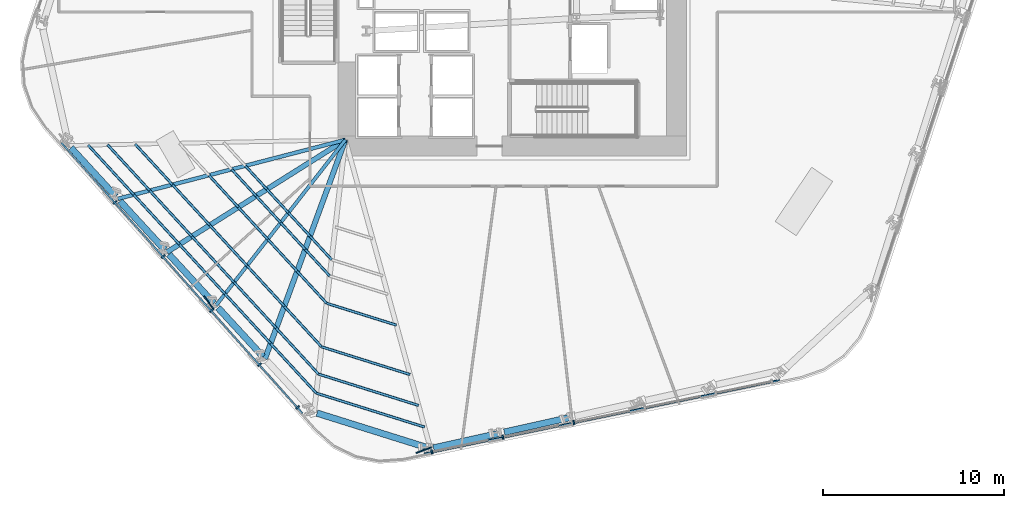
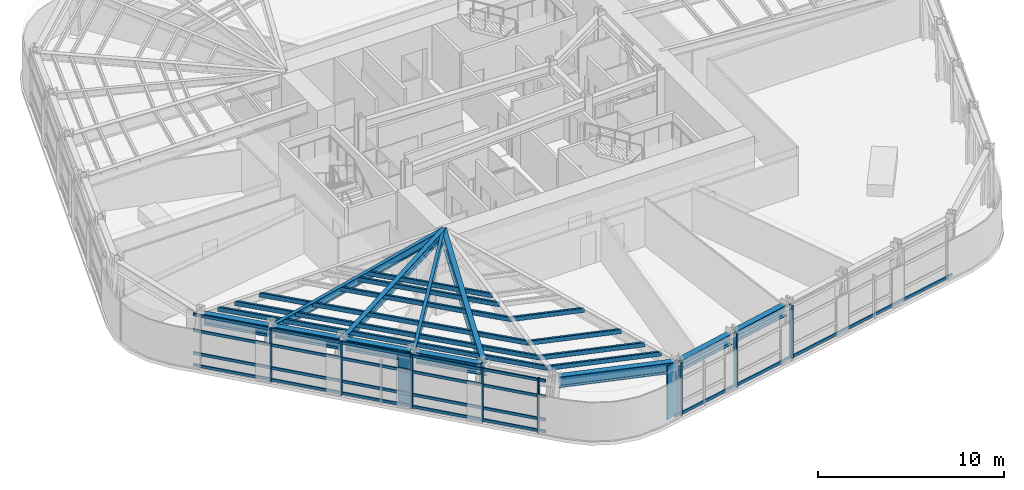
# One storey, part 2 of 17: 46 members, 11 beams, 2 elements without a shape of their own.
"""IFC4 building model written with IfcOpenShell, lengths in metres."""

from ifc_helpers import new_model, si_unit, direction, frame, origin, origin_2d, place, context, subcontext, project, spatial, rectangle, hollow_rectangle, i_section, extrude, material, layer, layer_set, material_profile, profile_set, type_object, element, aggregate, save


model = new_model("IFC4")

# Units and contexts
model_context = context("Model", 3, precision=1e-05, world=origin(), true_north=direction((0.0, 1.0)))
body_context = subcontext(model_context, "Body", "Model", "MODEL_VIEW")
ifc_project = project(units=[si_unit("LENGTHUNIT", "METRE"), si_unit("AREAUNIT", "SQUARE_METRE"), si_unit("VOLUMEUNIT", "CUBIC_METRE"), si_unit("PLANEANGLEUNIT", "RADIAN"), si_unit("MASSUNIT", "GRAM", prefix="KILO")], contexts=[model_context])

# Site, building, storey
site_placement = place(None, origin())
site = spatial("IfcSite", under=ifc_project, at=site_placement, CompositionType="ELEMENT")
building_placement = place(site_placement, origin())
building = spatial("IfcBuilding", under=site, at=building_placement, Name="Valkerne Bourse Tower", CompositionType="ELEMENT")
storey_placement = place(building_placement, frame((0.0, 0.0, 73.39990234375)))
storey = spatial("IfcBuildingStorey", under=building, at=storey_placement, Name="L18", CompositionType="ELEMENT", Elevation=73.39990234375)

# Beams
ifc_material_1 = material(Name="Steel ASTM A992", Category="steel")
ifc_material_profile_1 = material_profile(ifc_material_1, i_section(OverallWidth=0.1904296875, OverallDepth=0.457275390625, WebThickness=0.009033203125, FlangeThickness=0.014404296875, FilletRadius=0.01513671875, at=origin_2d()), Name="W18X50")
ifc_profile_set_1 = profile_set([ifc_material_profile_1], Name="Steel ASTM A992")
beam_type_1 = type_object("IfcBeamType", Name="BM-W18X50", PredefinedType="JOIST", material=ifc_profile_set_1)
beam_1_placement = place(storey_placement, frame((30.46240234375, 9.262451171875, 3.29150390625), z_axis=(0.615593782083, 0.788063636682, 0.0), x_axis=(-0.788063636682, 0.615593782083, 0.0)))
element("IfcBeam", 1, at=beam_1_placement, inside=storey, type_object=beam_type_1, Name="L18 Radial Composite Floor Beam 21", PredefinedType="JOIST", context=body_context, shape_type="SweptSolid", body=[
    extrude(i_section(OverallWidth=0.1904296875, OverallDepth=0.457275390625, WebThickness=0.009033203125, FlangeThickness=0.014404296875, FilletRadius=0.01513671875, at=origin_2d()), origin(), (0.0, 0.0, 1.0), 11.5947265625),
])
ifc_material_profile_2 = material_profile(ifc_material_1, i_section(OverallWidth=0.279296875, OverallDepth=0.46240234375, WebThickness=0.0107421875, FlangeThickness=0.017333984375, FilletRadius=0.017822265625, at=origin_2d()), Name="W18X76")
ifc_profile_set_2 = profile_set([ifc_material_profile_2], Name="Steel ASTM A992")
beam_type_2 = type_object("IfcBeamType", Name="BM-W18X76", PredefinedType="BEAM", material=ifc_profile_set_2)
beam_2_placement = place(storey_placement, frame((27.757568359375, 12.203857421875, 3.2890625), z_axis=(0.846275604102, 0.532745344326, 0.0), x_axis=(-0.532745344326, 0.846275604102, 0.0)))
element("IfcBeam", 2, at=beam_2_placement, inside=storey, type_object=beam_type_2, Name="L18 Radial Composite Floor Beam 20", PredefinedType="BEAM", context=body_context, shape_type="SweptSolid", body=[
    extrude(i_section(OverallWidth=0.279296875, OverallDepth=0.46240234375, WebThickness=0.0107421875, FlangeThickness=0.017333984375, FilletRadius=0.017822265625, at=origin_2d()), origin(), (0.0, 0.0, 1.0), 11.63037109375),
])
ifc_material_profile_3 = material_profile(ifc_material_1, i_section(OverallWidth=0.209228515625, OverallDepth=0.533447265625, WebThickness=0.01025390625, FlangeThickness=0.015625, FilletRadius=0.017822265625, at=origin_2d()), Name="W21X62")
ifc_profile_set_3 = profile_set([ifc_material_profile_3], Name="Steel ASTM A992")
beam_type_3 = type_object("IfcBeamType", Name="BM-W21X62", PredefinedType="JOIST", material=ifc_profile_set_3)
beam_3_placement = place(storey_placement, frame((25.052734375, 15.145263671875, 3.25341796875), z_axis=(0.967966557813, 0.251079156754, 0.0), x_axis=(-0.251079156754, 0.967966557813, 0.0)))
element("IfcBeam", 3, at=beam_3_placement, inside=storey, type_object=beam_type_3, Name="L18 Radial Composite Floor Beam 19", PredefinedType="JOIST", context=body_context, shape_type="SweptSolid", body=[
    extrude(i_section(OverallWidth=0.209228515625, OverallDepth=0.533447265625, WebThickness=0.01025390625, FlangeThickness=0.015625, FilletRadius=0.017822265625, at=origin_2d()), origin(), (0.0, 0.0, 1.0), 12.962646484375),
])
ifc_material_profile_4 = material_profile(ifc_material_1, i_section(OverallWidth=0.358154296875, OverallDepth=0.7060546875, WebThickness=0.018310546875, FlangeThickness=0.0302734375, FilletRadius=0.02294921875, at=origin_2d()), Name="W27X178")
ifc_profile_set_4 = profile_set([ifc_material_profile_4], Name="Steel ASTM A992")
beam_type_4 = type_object("IfcBeamType", Name="BM-W27X178", PredefinedType="SPANDREL", material=ifc_profile_set_4)
for number, where, z_axis, x_axis, name in (
    (4, (22.463134765625, 17.961669921875, 3.1669921875), (0.676869887197, -0.736102680206, 0.0), (0.736102680206, 0.676869887197, 0.0), "L18 Hexagonal Spandrel Ring Beam 18"),
    (5, (25.16796875, 15.020263671875, 3.1669921875), (0.676869887197, -0.736102680206, 0.0), (0.736102680206, 0.676869887197, 0.0), "L18 Hexagonal Spandrel Ring Beam 19"),
    (6, (27.872802734375, 12.078857421875, 3.1669921875), (0.676869887197, -0.736102680206, 0.0), (0.736102680206, 0.676869887197, 0.0), "L18 Hexagonal Spandrel Ring Beam 20"),
):
    element("IfcBeam", number, at=place(storey_placement, frame(where, z_axis=z_axis, x_axis=x_axis)), inside=storey, type_object=beam_type_4, Name=name, PredefinedType="SPANDREL", context=body_context, shape_type="SweptSolid", body=[
        extrude(i_section(OverallWidth=0.358154296875, OverallDepth=0.7060546875, WebThickness=0.018310546875, FlangeThickness=0.0302734375, FilletRadius=0.02294921875, at=origin_2d()), origin(), (0.0, 0.0, 1.0), 3.656005859375),
    ])
beam_4_placement = place(storey_placement, frame((30.577392578125, 9.137451171875, 3.1669921875), z_axis=(0.67683661589, -0.736133272846, 0.0), x_axis=(0.736133272846, 0.67683661589, 0.0)))
element("IfcBeam", 7, at=beam_4_placement, inside=storey, type_object=beam_type_4, Name="L18 Hexagonal Spandrel Ring Beam 21", PredefinedType="SPANDREL", context=body_context, shape_type="SweptSolid", body=[
    extrude(i_section(OverallWidth=0.358154296875, OverallDepth=0.7060546875, WebThickness=0.018310546875, FlangeThickness=0.0302734375, FilletRadius=0.02294921875, at=origin_2d()), origin(), (0.0, 0.0, 1.0), 3.65625),
])
beam_5_placement = place(storey_placement, frame((36.0341796875, 3.328857421875, 3.1669921875), z_axis=(0.954237607165, -0.29904947596, 0.0), x_axis=(0.29904947596, 0.954237607165, 0.0)))
element("IfcBeam", 8, at=beam_5_placement, inside=storey, type_object=beam_type_4, Name="L18 Hexagonal Spandrel Ring Beam 23", PredefinedType="SPANDREL", context=body_context, shape_type="SweptSolid", body=[
    extrude(i_section(OverallWidth=0.358154296875, OverallDepth=0.7060546875, WebThickness=0.018310546875, FlangeThickness=0.0302734375, FilletRadius=0.02294921875, at=origin_2d()), origin(), (0.0, 0.0, 1.0), 6.38916015625),
])
for number, where, z_axis, x_axis, name in (
    (9, (42.458984375, 1.404296875, 3.1669921875), (0.975911302758, 0.218167662933, 0.0), (-0.218167662933, 0.975911302758, 0.0), "L18 Hexagonal Spandrel Ring Beam 24"),
    (10, (46.358642578125, 2.276123046875, 3.1669921875), (0.975928695387, 0.218089847358, 0.0), (-0.218089847358, 0.975928695387, 0.0), "L18 Hexagonal Spandrel Ring Beam 25"),
):
    element("IfcBeam", number, at=place(storey_placement, frame(where, z_axis=z_axis, x_axis=x_axis)), inside=storey, type_object=beam_type_4, Name=name, PredefinedType="SPANDREL", context=body_context, shape_type="SweptSolid", body=[
        extrude(i_section(OverallWidth=0.358154296875, OverallDepth=0.7060546875, WebThickness=0.018310546875, FlangeThickness=0.0302734375, FilletRadius=0.02294921875, at=origin_2d()), origin(), (0.0, 0.0, 1.0), 3.656005859375),
    ])
ifc_material_profile_5 = material_profile(ifc_material_1, i_section(OverallWidth=0.2919921875, OverallDepth=0.8583984375, WebThickness=0.01708984375, FlangeThickness=0.031005859375, FilletRadius=0.025390625, at=origin_2d()), Name="W33X169")
ifc_profile_set_5 = profile_set([ifc_material_profile_5], Name="Steel ASTM A992")
beam_type_5 = type_object("IfcBeamType", Name="BM-W33X169", PredefinedType="BEAM", material=ifc_profile_set_5)
beam_6_placement = place(storey_placement, frame((33.167236328125, 6.321044921875, 3.0908203125), z_axis=(0.344525039402, 0.938777128623, 0.0), x_axis=(-0.938777128623, 0.344525039402, 0.0)))
element("IfcBeam", 11, at=beam_6_placement, inside=storey, type_object=beam_type_5, Name="L18 Radial Composite Floor Beam 22", PredefinedType="BEAM", context=body_context, shape_type="SweptSolid", body=[
    extrude(i_section(OverallWidth=0.2919921875, OverallDepth=0.8583984375, WebThickness=0.01708984375, FlangeThickness=0.031005859375, FilletRadius=0.025390625, at=origin_2d()), origin(), (0.0, 0.0, 1.0), 12.86669921875),
])

# Curtain wall, members
ifc_material_2 = material(Name="Aluminium AA 6063-T6", Category="aluminium")
ifc_layer = layer(ifc_material_2, 0.22509765625)
ifc_layer_set = layer_set([ifc_layer], Name="Aluminium AA 6063-T6")
curtain_wall_type = type_object("IfcCurtainWallType", Name="CW-01", PredefinedType="NOTDEFINED", material=ifc_layer_set)
curtain_wall_1_placement = place(storey_placement, origin())
curtain_wall_1 = element("IfcCurtainWall", 12, at=curtain_wall_1_placement, inside=storey, type_object=curtain_wall_type, Name="L18 Hexagonal Stick Curtain Wall Face 4", PredefinedType="NOTDEFINED")
ifc_material_profile_6 = material_profile(ifc_material_2, rectangle(XDim=0.090087890625, YDim=0.239990234375, at=origin_2d()), Name="CWM-90X240")
ifc_profile_set_6 = profile_set([ifc_material_profile_6], Name="Aluminium AA 6063-T6")
member_type_1 = type_object("IfcMemberType", Name="CW-MUL-240X90", PredefinedType="MULLION", material=ifc_profile_set_6)
member_1_placement = place(storey_placement, frame((24.894775390625, 14.948486328125, 0.0), z_axis=(0.0, 0.0, 1.0), x_axis=(0.665231661406, -0.746637018011, 0.0)))
member_1 = element("IfcMember", 13, at=member_1_placement, type_object=member_type_1, Name="CW-L18-F4 Jamb Mullion 01A", PredefinedType="MULLION", context=body_context, shape_type="SweptSolid", body=[
    extrude(rectangle(XDim=0.090087890625, YDim=0.239990234375, at=origin_2d()), origin(), (0.0, 0.0, 1.0), 3.52001953125),
])
member_2_placement = place(storey_placement, frame((27.552978515625, 11.965087890625, 0.0), z_axis=(0.0, 0.0, 1.0), x_axis=(0.665244090986, -0.746625943434, 0.0)))
member_2 = element("IfcMember", 14, at=member_2_placement, type_object=member_type_1, Name="CW-L18-F4 Jamb Mullion 02A", PredefinedType="MULLION", context=body_context, shape_type="SweptSolid", body=[
    extrude(rectangle(XDim=0.090087890625, YDim=0.239990234375, at=origin_2d()), origin(), (0.0, 0.0, 1.0), 3.52001953125),
])
member_3_placement = place(storey_placement, frame((30.211181640625, 8.9814453125, 0.0), z_axis=(0.0, 0.0, 1.0), x_axis=(0.66521771062, -0.746649447517, 0.0)))
member_3 = element("IfcMember", 15, at=member_3_placement, type_object=member_type_1, Name="CW-L18-F4 Jamb Mullion 03A", PredefinedType="MULLION", context=body_context, shape_type="SweptSolid", body=[
    extrude(rectangle(XDim=0.090087890625, YDim=0.239990234375, at=origin_2d()), origin(), (0.0, 0.0, 1.0), 3.52001953125),
])
member_4_placement = place(storey_placement, frame((32.869384765625, 5.997802734375, 0.0), z_axis=(0.0, 0.0, 1.0), x_axis=(0.665231661406, -0.746637018011, 0.0)))
member_4 = element("IfcMember", 16, at=member_4_placement, type_object=member_type_1, Name="CW-L18-F4 Jamb Mullion 04A", PredefinedType="MULLION", context=body_context, shape_type="SweptSolid", body=[
    extrude(rectangle(XDim=0.090087890625, YDim=0.239990234375, at=origin_2d()), origin(), (0.0, 0.0, 1.0), 3.52001953125),
])
member_5_placement = place(storey_placement, frame((34.968994140625, 3.6416015625, 0.0), z_axis=(0.0, 0.0, 1.0), x_axis=(0.665231661406, -0.746637018011, 0.0)))
member_5 = element("IfcMember", 17, at=member_5_placement, type_object=member_type_1, Name="CW-L18-F4 Jamb Mullion 04B", PredefinedType="MULLION", context=body_context, shape_type="SweptSolid", body=[
    extrude(rectangle(XDim=0.090087890625, YDim=0.239990234375, at=origin_2d()), origin(), (0.0, 0.0, 1.0), 3.52001953125),
])

curtain_wall_2_placement = place(storey_placement, origin())
curtain_wall_2 = element("IfcCurtainWall", 18, at=curtain_wall_2_placement, inside=storey, type_object=curtain_wall_type, Name="L18 Hexagonal Stick Curtain Wall Face 5", PredefinedType="NOTDEFINED")
member_6_placement = place(storey_placement, frame((42.37109375, 1.193603515625, 0.0), z_axis=(0.0, 0.0, 1.0), x_axis=(0.97922496445, 0.202776894635, 0.0)))
member_6 = element("IfcMember", 19, at=member_6_placement, type_object=member_type_1, Name="CW-L18-F5 Jamb Mullion 00A", PredefinedType="MULLION", context=body_context, shape_type="SweptSolid", body=[
    extrude(rectangle(XDim=0.090087890625, YDim=0.239990234375, at=origin_2d()), origin(), (0.0, 0.0, 1.0), 3.52001953125),
])
member_7_placement = place(storey_placement, frame((46.2841796875, 2.00390625, 0.0), z_axis=(0.0, 0.0, 1.0), x_axis=(0.979223935426, 0.202781863804, 0.0)))
member_7 = element("IfcMember", 20, at=member_7_placement, type_object=member_type_1, Name="CW-L18-F5 Jamb Mullion 01A", PredefinedType="MULLION", context=body_context, shape_type="SweptSolid", body=[
    extrude(rectangle(XDim=0.090087890625, YDim=0.239990234375, at=origin_2d()), origin(), (0.0, 0.0, 1.0), 3.52001953125),
])
member_8_placement = place(storey_placement, frame((50.197021484375, 2.814208984375, 0.0), z_axis=(0.0, 0.0, 1.0), x_axis=(0.97921999513, 0.202800890378, 0.0)))
member_8 = element("IfcMember", 21, at=member_8_placement, type_object=member_type_1, Name="CW-L18-F5 Jamb Mullion 02A", PredefinedType="MULLION", context=body_context, shape_type="SweptSolid", body=[
    extrude(rectangle(XDim=0.090087890625, YDim=0.239990234375, at=origin_2d()), origin(), (0.0, 0.0, 1.0), 3.52001953125),
])

# Member
ifc_material_profile_7 = material_profile(ifc_material_2, rectangle(XDim=0.090087890625, YDim=0.179931640625, at=origin_2d()), Name="CWT-90X180")
ifc_profile_set_7 = profile_set([ifc_material_profile_7], Name="Aluminium AA 6063-T6")
member_type_2 = type_object("IfcMemberType", Name="CW-TRN-180X90", PredefinedType="USERDEFINED", material=ifc_profile_set_7)
member_9_placement = place(storey_placement, frame((21.942138671875, 18.232421875, 0.1201171875), z_axis=(0.665231804557, -0.746636890466, 0.0), x_axis=(0.746636890466, 0.665231804557, 0.0)))
member_9 = element("IfcMember", 22, at=member_9_placement, type_object=member_type_2, Name="CW-L18-F4 Continuous Face Transom 1", ObjectType="TRANSOM", PredefinedType="USERDEFINED", context=body_context, shape_type="SweptSolid", body=[
    extrude(rectangle(XDim=0.090087890625, YDim=0.179931640625, at=origin_2d()), origin(), (0.0, 0.0, 1.0), 19.97998046875),
])

member_10_placement = place(storey_placement, frame((21.942138671875, 18.232421875, 0.900146484375), z_axis=(0.665231804557, -0.746636890466, 0.0), x_axis=(0.746636890466, 0.665231804557, 0.0)))
member_10 = element("IfcMember", 23, at=member_10_placement, type_object=member_type_2, Name="CW-L18-F4 Continuous Face Transom 2", ObjectType="TRANSOM", PredefinedType="USERDEFINED", context=body_context, shape_type="SweptSolid", body=[
    extrude(rectangle(XDim=0.090087890625, YDim=0.179931640625, at=origin_2d()), origin(), (0.0, 0.0, 1.0), 19.97998046875),
])

member_11_placement = place(storey_placement, frame((21.942138671875, 18.232421875, 2.400146484375), z_axis=(0.665231804557, -0.746636890466, 0.0), x_axis=(0.746636890466, 0.665231804557, 0.0)))
member_11 = element("IfcMember", 24, at=member_11_placement, type_object=member_type_2, Name="CW-L18-F4 Continuous Face Transom 3", ObjectType="TRANSOM", PredefinedType="USERDEFINED", context=body_context, shape_type="SweptSolid", body=[
    extrude(rectangle(XDim=0.090087890625, YDim=0.179931640625, at=origin_2d()), origin(), (0.0, 0.0, 1.0), 19.97998046875),
])

member_12_placement = place(storey_placement, frame((21.942138671875, 18.232421875, 3.440185546875), z_axis=(0.665231804557, -0.746636890466, 0.0), x_axis=(0.746636890466, 0.665231804557, 0.0)))
member_12 = element("IfcMember", 25, at=member_12_placement, type_object=member_type_2, Name="CW-L18-F4 Continuous Face Transom 4", ObjectType="TRANSOM", PredefinedType="USERDEFINED", context=body_context, shape_type="SweptSolid", body=[
    extrude(rectangle(XDim=0.090087890625, YDim=0.179931640625, at=origin_2d()), origin(), (0.0, 0.0, 1.0), 19.97998046875),
])

aggregate(curtain_wall_1, [member_9, member_10, member_11, member_12, member_1, member_2, member_3, member_4, member_5])

member_13_placement = place(storey_placement, frame((41.964111328125, 1.0888671875, 0.1201171875), z_axis=(0.979224205541, 0.202780559429, 0.0), x_axis=(-0.202780559429, 0.979224205541, 0.0)))
member_13 = element("IfcMember", 26, at=member_13_placement, type_object=member_type_2, Name="CW-L18-F5 Continuous Face Transom 1", ObjectType="TRANSOM", PredefinedType="USERDEFINED", context=body_context, shape_type="SweptSolid", body=[
    extrude(rectangle(XDim=0.090087890625, YDim=0.179931640625, at=origin_2d()), origin(), (0.0, 0.0, 1.0), 19.979736328125),
])

aggregate(curtain_wall_2, [member_13, member_6, member_7, member_8])

# Members
ifc_material_3 = material(Name="Bronze Anodised Aluminium AA 6063-T6", Category="aluminium")
ifc_material_profile_8 = material_profile(ifc_material_3, rectangle(XDim=0.070068359375, YDim=0.89990234375, at=origin_2d()), Name="FIN-70X900")
ifc_profile_set_8 = profile_set([ifc_material_profile_8], Name="Bronze Anodised Aluminium AA 6063-T6")
member_type_3 = type_object("IfcMemberType", Name="FIN-SOLAR-900", PredefinedType="USERDEFINED", material=ifc_profile_set_8)
for number, where, z_axis, x_axis, name in (
    (27, (30.06640625, 9.414794921875, 0.004150390625), (0.0, 0.0, 1.0), (-0.802679139928, -0.596411098425, 0.0), "L18 Bronze Anodised Solar Fin F4-03"),
    (28, (41.92333984375, 1.28466796875, 0.004150390625), (0.0, 0.0, 1.0), (0.349433552513, -0.936961147742, 0.0), "L18 Bronze Anodised Solar Fin F5-00"),
):
    element("IfcMember", number, at=place(storey_placement, frame(where, z_axis=z_axis, x_axis=x_axis)), inside=storey, type_object=member_type_3, Name=name, ObjectType="SOLAR_FIN", PredefinedType="USERDEFINED", context=body_context, shape_type="SweptSolid", body=[
        extrude(rectangle(XDim=0.070068359375, YDim=0.89990234375, at=origin_2d()), origin(), (0.0, 0.0, 1.0), 3.511962890625),
    ])
ifc_material_4 = material(Name="Steel ASTM A500 Grade C", Category="steel")
ifc_material_profile_9 = material_profile(ifc_material_4, hollow_rectangle(XDim=0.14990234375, YDim=0.300048828125, WallThickness=0.012451171875, OuterFilletRadius=0.02490234375, at=origin_2d()), Name="HSS300X150X12.5")
ifc_profile_set_9 = profile_set([ifc_material_profile_9], Name="Steel ASTM A500 Grade C")
member_type_4 = type_object("IfcMemberType", Name="MBR-HSS300X150X12.5", PredefinedType="PURLIN", material=ifc_profile_set_9)
member_14_placement = place(storey_placement, frame((32.0791015625, 16.968017578125, 3.360107421875), z_axis=(0.676842949236, -0.73612744961, 0.0), x_axis=(0.73612744961, 0.676842949236, 0.0)))
element("IfcMember", 29, at=member_14_placement, inside=storey, type_object=member_type_4, Name="L18 Secondary Composite Floor Purlin K-19", PredefinedType="PURLIN", context=body_context, shape_type="SweptSolid", body=[
    extrude(hollow_rectangle(XDim=0.14990234375, YDim=0.300048828125, WallThickness=0.012451171875, OuterFilletRadius=0.02490234375, at=origin_2d()), origin(), (0.0, 0.0, 1.0), 1.758544921875),
])
for number, where, z_axis, x_axis, name in (
    (30, (33.269287109375, 15.673583984375, 3.360107421875), (0.676912129121, -0.736063835173, 0.0), (0.736063835173, 0.676912129121, 0.0), "L18 Secondary Composite Floor Purlin K-20"),
    (31, (34.45947265625, 14.37939453125, 3.360107421875), (0.676912129121, -0.736063835173, 0.0), (0.736063835173, 0.676912129121, 0.0), "L18 Secondary Composite Floor Purlin K-21"),
):
    element("IfcMember", number, at=place(storey_placement, frame(where, z_axis=z_axis, x_axis=x_axis)), inside=storey, type_object=member_type_4, Name=name, PredefinedType="PURLIN", context=body_context, shape_type="SweptSolid", body=[
        extrude(hollow_rectangle(XDim=0.14990234375, YDim=0.300048828125, WallThickness=0.012451171875, OuterFilletRadius=0.02490234375, at=origin_2d()), origin(), (0.0, 0.0, 1.0), 1.75830078125),
    ])
member_15_placement = place(storey_placement, frame((35.649658203125, 13.085205078125, 3.360107421875), z_axis=(0.676836888933, -0.736133021796, 0.0), x_axis=(0.736133021796, 0.676836888933, 0.0)))
element("IfcMember", 32, at=member_15_placement, inside=storey, type_object=member_type_4, Name="L18 Secondary Composite Floor Purlin K-22", PredefinedType="PURLIN", context=body_context, shape_type="SweptSolid", body=[
    extrude(hollow_rectangle(XDim=0.14990234375, YDim=0.300048828125, WallThickness=0.012451171875, OuterFilletRadius=0.02490234375, at=origin_2d()), origin(), (0.0, 0.0, 1.0), 1.758056640625),
])
member_16_placement = place(storey_placement, frame((31.326416015625, 16.772705078125, 3.360107421875), z_axis=(0.676852665651, -0.736118515595, 0.0), x_axis=(0.736118515595, 0.676852665651, 0.0)))
element("IfcMember", 33, at=member_16_placement, inside=storey, type_object=member_type_4, Name="L18 Secondary Composite Floor Purlin M-19", PredefinedType="PURLIN", context=body_context, shape_type="SweptSolid", body=[
    extrude(hollow_rectangle(XDim=0.14990234375, YDim=0.300048828125, WallThickness=0.012451171875, OuterFilletRadius=0.02490234375, at=origin_2d()), origin(), (0.0, 0.0, 1.0), 1.997802734375),
])
member_17_placement = place(storey_placement, frame((32.6787109375, 15.302001953125, 3.360107421875), z_axis=(0.676918872723, -0.736057633444, 0.0), x_axis=(0.736057633444, 0.676918872723, 0.0)))
element("IfcMember", 34, at=member_17_placement, inside=storey, type_object=member_type_4, Name="L18 Secondary Composite Floor Purlin M-20", PredefinedType="PURLIN", context=body_context, shape_type="SweptSolid", body=[
    extrude(hollow_rectangle(XDim=0.14990234375, YDim=0.300048828125, WallThickness=0.012451171875, OuterFilletRadius=0.02490234375, at=origin_2d()), origin(), (0.0, 0.0, 1.0), 1.998046875),
])
member_18_placement = place(storey_placement, frame((34.03125, 13.831298828125, 3.360107421875), z_axis=(0.676852665651, -0.736118515595, 0.0), x_axis=(0.736118515595, 0.676852665651, 0.0)))
element("IfcMember", 35, at=member_18_placement, inside=storey, type_object=member_type_4, Name="L18 Secondary Composite Floor Purlin M-21", PredefinedType="PURLIN", context=body_context, shape_type="SweptSolid", body=[
    extrude(hollow_rectangle(XDim=0.14990234375, YDim=0.300048828125, WallThickness=0.012451171875, OuterFilletRadius=0.02490234375, at=origin_2d()), origin(), (0.0, 0.0, 1.0), 1.997802734375),
])
member_19_placement = place(storey_placement, frame((35.383544921875, 12.360595703125, 3.360107421875), z_axis=(0.676918872723, -0.736057633444, 0.0), x_axis=(0.736057633444, 0.676918872723, 0.0)))
element("IfcMember", 36, at=member_19_placement, inside=storey, type_object=member_type_4, Name="L18 Secondary Composite Floor Purlin M-22", PredefinedType="PURLIN", context=body_context, shape_type="SweptSolid", body=[
    extrude(hollow_rectangle(XDim=0.14990234375, YDim=0.300048828125, WallThickness=0.012451171875, OuterFilletRadius=0.02490234375, at=origin_2d()), origin(), (0.0, 0.0, 1.0), 1.998046875),
])
for number, where, z_axis, x_axis, name in (
    (37, (26.008544921875, 18.162109375, 3.360107421875), (0.676863201172, -0.736108828163, 0.0), (0.736108828163, 0.676863201172, 0.0), "L18 Secondary Composite Floor Purlin O-18"),
    (38, (28.064208984375, 15.926513671875, 3.360107421875), (0.676863201172, -0.736108828163, 0.0), (0.736108828163, 0.676863201172, 0.0), "L18 Secondary Composite Floor Purlin O-19"),
):
    element("IfcMember", number, at=place(storey_placement, frame(where, z_axis=z_axis, x_axis=x_axis)), inside=storey, type_object=member_type_4, Name=name, PredefinedType="PURLIN", context=body_context, shape_type="SweptSolid", body=[
        extrude(hollow_rectangle(XDim=0.14990234375, YDim=0.300048828125, WallThickness=0.012451171875, OuterFilletRadius=0.02490234375, at=origin_2d()), origin(), (0.0, 0.0, 1.0), 3.037109375),
    ])
member_20_placement = place(storey_placement, frame((30.119873046875, 13.69091796875, 3.360107421875), z_axis=(0.676859694966, -0.736112052157, 0.0), x_axis=(0.736112052157, 0.676859694966, 0.0)))
element("IfcMember", 39, at=member_20_placement, inside=storey, type_object=member_type_4, Name="L18 Secondary Composite Floor Purlin O-20", PredefinedType="PURLIN", context=body_context, shape_type="SweptSolid", body=[
    extrude(hollow_rectangle(XDim=0.14990234375, YDim=0.300048828125, WallThickness=0.012451171875, OuterFilletRadius=0.02490234375, at=origin_2d()), origin(), (0.0, 0.0, 1.0), 3.03662109375),
])
member_21_placement = place(storey_placement, frame((32.17529296875, 11.45556640625, 3.360107421875), z_axis=(0.676906756112, -0.736068776359, 0.0), x_axis=(0.736068776359, 0.676906756112, 0.0)))
element("IfcMember", 40, at=member_21_placement, inside=storey, type_object=member_type_4, Name="L18 Secondary Composite Floor Purlin O-21", PredefinedType="PURLIN", context=body_context, shape_type="SweptSolid", body=[
    extrude(hollow_rectangle(XDim=0.14990234375, YDim=0.300048828125, WallThickness=0.012451171875, OuterFilletRadius=0.02490234375, at=origin_2d()), origin(), (0.0, 0.0, 1.0), 3.037109375),
])
member_22_placement = place(storey_placement, frame((34.231201171875, 9.219970703125, 3.360107421875), z_axis=(0.676859694966, -0.736112052157, 0.0), x_axis=(0.736112052157, 0.676859694966, 0.0)))
element("IfcMember", 41, at=member_22_placement, inside=storey, type_object=member_type_4, Name="L18 Secondary Composite Floor Purlin O-22", PredefinedType="PURLIN", context=body_context, shape_type="SweptSolid", body=[
    extrude(hollow_rectangle(XDim=0.14990234375, YDim=0.300048828125, WallThickness=0.012451171875, OuterFilletRadius=0.02490234375, at=origin_2d()), origin(), (0.0, 0.0, 1.0), 3.03662109375),
])
member_23_placement = place(storey_placement, frame((36.28662109375, 6.984619140625, 3.360107421875), z_axis=(0.954229060715, -0.299076745479, 0.0), x_axis=(0.299076745479, 0.954229060715, 0.0)))
element("IfcMember", 42, at=member_23_placement, inside=storey, type_object=member_type_4, Name="L18 Secondary Composite Floor Purlin O-23", PredefinedType="PURLIN", context=body_context, shape_type="SweptSolid", body=[
    extrude(hollow_rectangle(XDim=0.14990234375, YDim=0.300048828125, WallThickness=0.012451171875, OuterFilletRadius=0.02490234375, at=origin_2d()), origin(), (0.0, 0.0, 1.0), 5.1142578125),
])
for number, where, z_axis, x_axis, name in (
    (43, (30.07177734375, 16.447265625, 3.360107421875), (0.676853554138, -0.73611769864, 0.0), (0.73611769864, 0.676853554138, 0.0), "L18 Secondary Composite Floor Purlin Z-19"),
    (44, (31.694580078125, 14.682373046875, 3.360107421875), (0.676853554138, -0.73611769864, 0.0), (0.73611769864, 0.676853554138, 0.0), "L18 Secondary Composite Floor Purlin Z-20"),
    (45, (33.3173828125, 12.91748046875, 3.360107421875), (0.676853554138, -0.73611769864, 0.0), (0.73611769864, 0.676853554138, 0.0), "L18 Secondary Composite Floor Purlin Z-21"),
):
    element("IfcMember", number, at=place(storey_placement, frame(where, z_axis=z_axis, x_axis=x_axis)), inside=storey, type_object=member_type_4, Name=name, PredefinedType="PURLIN", context=body_context, shape_type="SweptSolid", body=[
        extrude(hollow_rectangle(XDim=0.14990234375, YDim=0.300048828125, WallThickness=0.012451171875, OuterFilletRadius=0.02490234375, at=origin_2d()), origin(), (0.0, 0.0, 1.0), 2.3974609375),
    ])
member_24_placement = place(storey_placement, frame((34.940185546875, 11.152587890625, 3.360107421875), z_axis=(0.676908726129, -0.736066964679, 0.0), x_axis=(0.736066964679, 0.676908726129, 0.0)))
element("IfcMember", 46, at=member_24_placement, inside=storey, type_object=member_type_4, Name="L18 Secondary Composite Floor Purlin Z-22", PredefinedType="PURLIN", context=body_context, shape_type="SweptSolid", body=[
    extrude(hollow_rectangle(XDim=0.14990234375, YDim=0.300048828125, WallThickness=0.012451171875, OuterFilletRadius=0.02490234375, at=origin_2d()), origin(), (0.0, 0.0, 1.0), 2.397705078125),
])
member_25_placement = place(storey_placement, frame((36.563232421875, 9.3876953125, 3.360107421875), z_axis=(0.954248362533, -0.299015154472, 0.0), x_axis=(0.299015154472, 0.954248362533, 0.0)))
element("IfcMember", 47, at=member_25_placement, inside=storey, type_object=member_type_4, Name="L18 Secondary Composite Floor Purlin Z-23", PredefinedType="PURLIN", context=body_context, shape_type="SweptSolid", body=[
    extrude(hollow_rectangle(XDim=0.14990234375, YDim=0.300048828125, WallThickness=0.012451171875, OuterFilletRadius=0.02490234375, at=origin_2d()), origin(), (0.0, 0.0, 1.0), 4.03759765625),
])
member_26_placement = place(storey_placement, frame((24.4833984375, 18.130615234375, 3.360107421875), z_axis=(0.67685949735, -0.736112233866, 0.0), x_axis=(0.736112233866, 0.67685949735, 0.0)))
element("IfcMember", 48, at=member_26_placement, inside=storey, type_object=member_type_4, Name="L18 Secondary Composite Floor Purlin T-18", PredefinedType="PURLIN", context=body_context, shape_type="SweptSolid", body=[
    extrude(hollow_rectangle(XDim=0.14990234375, YDim=0.300048828125, WallThickness=0.012451171875, OuterFilletRadius=0.02490234375, at=origin_2d()), origin(), (0.0, 0.0, 1.0), 3.436279296875),
])
member_27_placement = place(storey_placement, frame((26.809326171875, 15.60107421875, 3.360107421875), z_axis=(0.676862595842, -0.736109384773, 0.0), x_axis=(0.736109384773, 0.676862595842, 0.0)))
element("IfcMember", 49, at=member_27_placement, inside=storey, type_object=member_type_4, Name="L18 Secondary Composite Floor Purlin T-19", PredefinedType="PURLIN", context=body_context, shape_type="SweptSolid", body=[
    extrude(hollow_rectangle(XDim=0.14990234375, YDim=0.300048828125, WallThickness=0.012451171875, OuterFilletRadius=0.02490234375, at=origin_2d()), origin(), (0.0, 0.0, 1.0), 3.436767578125),
])
for number, where, z_axis, x_axis, name in (
    (50, (29.135498046875, 13.0712890625, 3.360107421875), (0.676897991887, -0.736076836056, 0.0), (0.736076836056, 0.676897991887, 0.0), "L18 Secondary Composite Floor Purlin T-20"),
    (51, (31.461669921875, 10.541748046875, 3.360107421875), (0.676897991887, -0.736076836056, 0.0), (0.736076836056, 0.676897991887, 0.0), "L18 Secondary Composite Floor Purlin T-21"),
):
    element("IfcMember", number, at=place(storey_placement, frame(where, z_axis=z_axis, x_axis=x_axis)), inside=storey, type_object=member_type_4, Name=name, PredefinedType="PURLIN", context=body_context, shape_type="SweptSolid", body=[
        extrude(hollow_rectangle(XDim=0.14990234375, YDim=0.300048828125, WallThickness=0.012451171875, OuterFilletRadius=0.02490234375, at=origin_2d()), origin(), (0.0, 0.0, 1.0), 3.4365234375),
    ])
member_28_placement = place(storey_placement, frame((33.787841796875, 8.01220703125, 3.360107421875), z_axis=(0.676862595842, -0.736109384773, 0.0), x_axis=(0.736109384773, 0.676862595842, 0.0)))
element("IfcMember", 52, at=member_28_placement, inside=storey, type_object=member_type_4, Name="L18 Secondary Composite Floor Purlin T-22", PredefinedType="PURLIN", context=body_context, shape_type="SweptSolid", body=[
    extrude(hollow_rectangle(XDim=0.14990234375, YDim=0.300048828125, WallThickness=0.012451171875, OuterFilletRadius=0.02490234375, at=origin_2d()), origin(), (0.0, 0.0, 1.0), 3.436767578125),
])
member_29_placement = place(storey_placement, frame((36.114013671875, 5.482421875, 3.360107421875), z_axis=(0.954240949122, -0.299038811892, 0.0), x_axis=(0.299038811892, 0.954240949122, 0.0)))
element("IfcMember", 53, at=member_29_placement, inside=storey, type_object=member_type_4, Name="L18 Secondary Composite Floor Purlin T-23", PredefinedType="PURLIN", context=body_context, shape_type="SweptSolid", body=[
    extrude(hollow_rectangle(XDim=0.14990234375, YDim=0.300048828125, WallThickness=0.012451171875, OuterFilletRadius=0.02490234375, at=origin_2d()), origin(), (0.0, 0.0, 1.0), 5.786865234375),
])
member_30_placement = place(storey_placement, frame((23.41552734375, 18.108642578125, 3.360107421875), z_axis=(0.676892852733, -0.736081562002, 0.0), x_axis=(0.736081562002, 0.676892852733, 0.0)))
element("IfcMember", 54, at=member_30_placement, inside=storey, type_object=member_type_4, Name="L18 Secondary Composite Floor Purlin U-18", PredefinedType="PURLIN", context=body_context, shape_type="SweptSolid", body=[
    extrude(hollow_rectangle(XDim=0.14990234375, YDim=0.300048828125, WallThickness=0.012451171875, OuterFilletRadius=0.02490234375, at=origin_2d()), origin(), (0.0, 0.0, 1.0), 3.71630859375),
])
member_31_placement = place(storey_placement, frame((25.93115234375, 15.373046875, 3.360107421875), z_axis=(0.676889990401, -0.736084194162, 0.0), x_axis=(0.736084194162, 0.676889990401, 0.0)))
element("IfcMember", 55, at=member_31_placement, inside=storey, type_object=member_type_4, Name="L18 Secondary Composite Floor Purlin U-19", PredefinedType="PURLIN", context=body_context, shape_type="SweptSolid", body=[
    extrude(hollow_rectangle(XDim=0.14990234375, YDim=0.300048828125, WallThickness=0.012451171875, OuterFilletRadius=0.02490234375, at=origin_2d()), origin(), (0.0, 0.0, 1.0), 3.716064453125),
])
for number, where, z_axis, x_axis, name in (
    (56, (28.446533203125, 12.6376953125, 3.360107421875), (0.676857257247, -0.736114293648, 0.0), (0.736114293648, 0.676857257247, 0.0), "L18 Secondary Composite Floor Purlin U-20"),
    (57, (30.9619140625, 9.902099609375, 3.360107421875), (0.676892852733, -0.736081562002, 0.0), (0.736081562002, 0.676892852733, 0.0), "L18 Secondary Composite Floor Purlin U-21"),
    (58, (33.4775390625, 7.16650390625, 3.360107421875), (0.676857257247, -0.736114293648, 0.0), (0.736114293648, 0.676857257247, 0.0), "L18 Secondary Composite Floor Purlin U-22"),
):
    element("IfcMember", number, at=place(storey_placement, frame(where, z_axis=z_axis, x_axis=x_axis)), inside=storey, type_object=member_type_4, Name=name, PredefinedType="PURLIN", context=body_context, shape_type="SweptSolid", body=[
        extrude(hollow_rectangle(XDim=0.14990234375, YDim=0.300048828125, WallThickness=0.012451171875, OuterFilletRadius=0.02490234375, at=origin_2d()), origin(), (0.0, 0.0, 1.0), 3.71630859375),
    ])
member_32_placement = place(storey_placement, frame((35.992919921875, 4.430908203125, 3.360107421875), z_axis=(0.954243661059, -0.299030157891, 0.0), x_axis=(0.299030157891, 0.954243661059, 0.0)))
element("IfcMember", 59, at=member_32_placement, inside=storey, type_object=member_type_4, Name="L18 Secondary Composite Floor Purlin U-23", PredefinedType="PURLIN", context=body_context, shape_type="SweptSolid", body=[
    extrude(hollow_rectangle(XDim=0.14990234375, YDim=0.300048828125, WallThickness=0.012451171875, OuterFilletRadius=0.02490234375, at=origin_2d()), origin(), (0.0, 0.0, 1.0), 6.258056640625),
])

save(model, "model.ifc")
